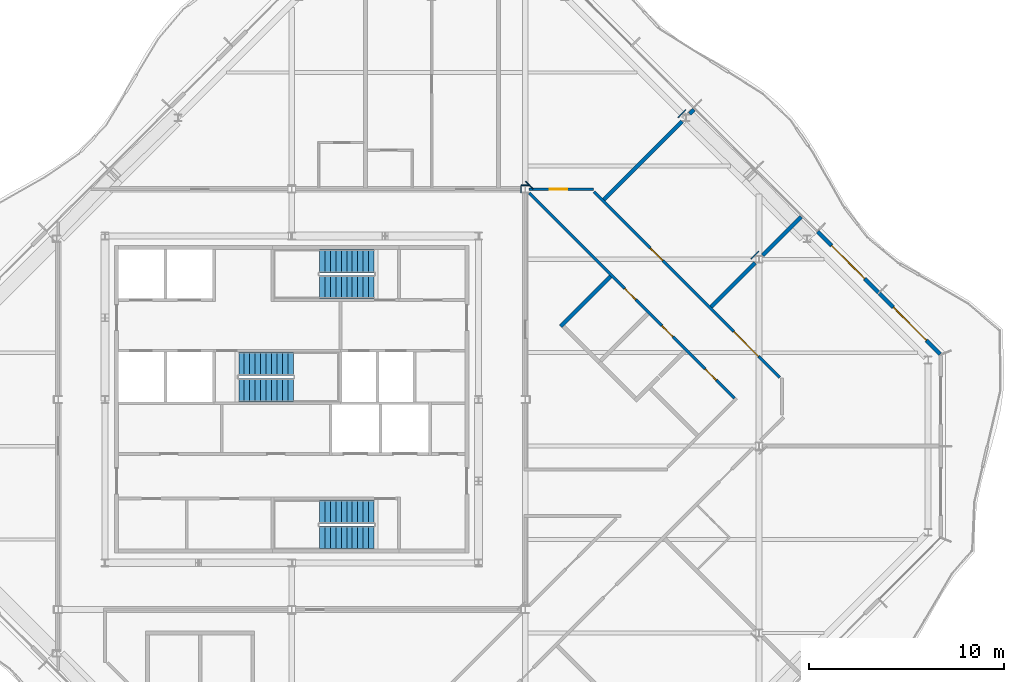
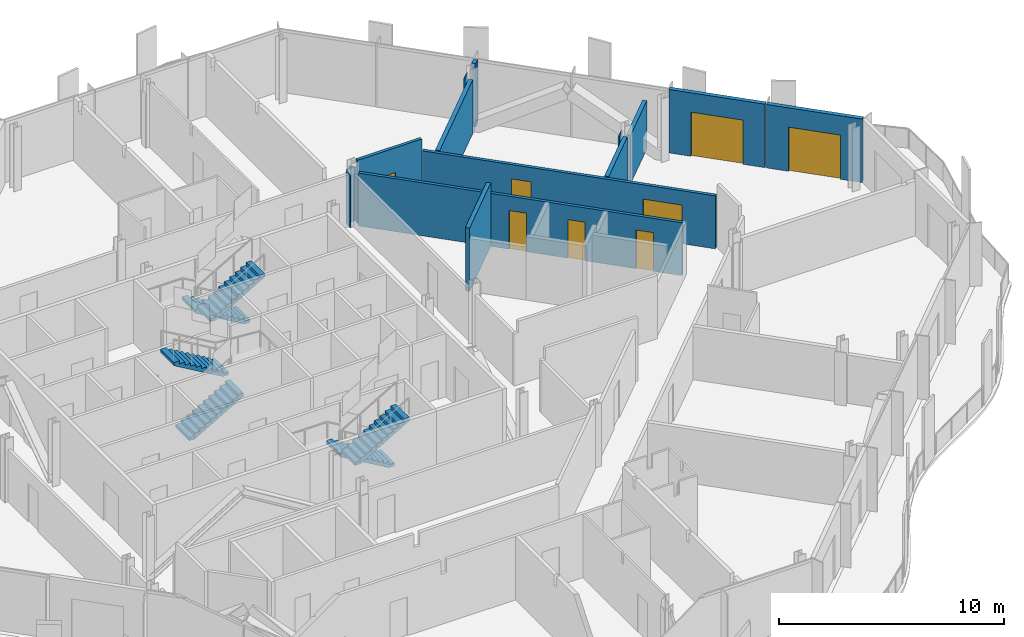
# One storey, part 11 of 16: 15 walls, 8 doors, 6 stair flights, 8 openings, 3 elements without a shape of their own.
"""IFC4 building model written with IfcOpenShell, lengths in metres."""

import ifcopenshell
import ifcopenshell.guid

model = None  # the IFC model being written
_history = None  # IfcOwnerHistory: only IFC2X3 demands one
_inside = {}  # id of a spatial element -> (the spatial element, [elements in it])
_under = {}  # id of a project, library or spatial element -> (it, [spatial elements below it])
_declared = {}  # id of a project -> (the project, [libraries it declares])
_typed = {}  # id of a type object -> (the type object, [elements of that type])
_made_of = {}  # id of a material, layer set ... -> (it, [elements and type objects made of it])


def new_model(schema):
    """Start an empty IFC model of exactly this schema.

    Asked for "IFC4X3", IfcOpenShell would pick the latest addendum, in which some entities
    have other attributes; the version numbers below select the first issue.
    IFC2X3 requires an IfcOwnerHistory on every rooted entity: one is made here for all.
    """
    global model, _history
    if schema == "IFC4X3":
        model = ifcopenshell.file(schema_version=(4, 3, 0, 0))
    else:
        model = ifcopenshell.file(schema=schema)
    _inside.clear()
    _under.clear()
    _declared.clear()
    _typed.clear()
    _made_of.clear()
    _history = None
    if model.schema == "IFC2X3":
        org = make("IfcOrganization", Name="unknown")
        user = make(
            "IfcPersonAndOrganization",
            ThePerson=make("IfcPerson", FamilyName="unknown"),
            TheOrganization=org,
        )
        app = make(
            "IfcApplication",
            ApplicationDeveloper=org,
            Version="unknown",
            ApplicationFullName="unknown",
            ApplicationIdentifier="unknown",
        )
        _history = make(
            "IfcOwnerHistory",
            OwningUser=user,
            OwningApplication=app,
            ChangeAction="ADDED",
            CreationDate=0,
        )
    return model


def make(cls, **values):
    """One entity of the class cls with the attributes given. An attribute that is None is left unset."""
    return model.create_entity(
        cls, **{name: value for name, value in values.items() if value is not None}
    )


def rooted(cls, **values):
    """An entity with a GlobalId (a new one), such as an element, a storey or a relation."""
    return make(cls, GlobalId=ifcopenshell.guid.new(), OwnerHistory=_history, **values)


def si_unit(unit_type, name, prefix=None):
    """IfcSIUnit, for example si_unit("LENGTHUNIT", "METRE", prefix="MILLI")."""
    return make("IfcSIUnit", UnitType=unit_type, Prefix=prefix, Name=name)


def assignment(units):
    """IfcUnitAssignment: the units of a project."""
    return None if units is None else make("IfcUnitAssignment", Units=units)


def point(xyz):
    """IfcCartesianPoint."""
    return None if xyz is None else make("IfcCartesianPoint", Coordinates=xyz)


def direction(xyz):
    """IfcDirection."""
    return None if xyz is None else make("IfcDirection", DirectionRatios=xyz)


def frame(location, z_axis=None, x_axis=None):
    """IfcAxis2Placement3D, a coordinate frame: its origin and axes. An axis left out is left unset."""
    return make(
        "IfcAxis2Placement3D",
        Location=point(location),
        Axis=direction(z_axis),
        RefDirection=direction(x_axis),
    )


def frame_2d(location, x_axis=None):
    """IfcAxis2Placement2D, a coordinate frame in the plane: its origin and x axis."""
    return make(
        "IfcAxis2Placement2D", Location=point(location), RefDirection=direction(x_axis)
    )


def origin():
    """The frame at (0, 0, 0) with its axes left unset."""
    return frame((0.0, 0.0, 0.0))


def place(relative_to, where):
    """IfcLocalPlacement: puts the frame where relative to a parent placement (None: the world)."""
    return make(
        "IfcLocalPlacement", PlacementRelTo=relative_to, RelativePlacement=where
    )


def context(
    kind, dimensions, precision=None, world=None, true_north=None, identifier=None
):
    """IfcGeometricRepresentationContext, for example the 3D "Model" context."""
    return make(
        "IfcGeometricRepresentationContext",
        ContextIdentifier=identifier,
        ContextType=kind,
        CoordinateSpaceDimension=dimensions,
        Precision=precision,
        WorldCoordinateSystem=world,
        TrueNorth=true_north,
    )


def subcontext(parent, identifier, kind, view, scale=None):
    """IfcGeometricRepresentationSubContext, for example "Body" below "Model"."""
    return make(
        "IfcGeometricRepresentationSubContext",
        ContextIdentifier=identifier,
        ContextType=kind,
        ParentContext=parent,
        TargetScale=scale,
        TargetView=view,
    )


def project(units=None, contexts=None):
    """IfcProject with its units and contexts."""
    return rooted(
        "IfcProject",
        Name="project",
        RepresentationContexts=contexts,
        UnitsInContext=assignment(units),
    )


def spatial(cls, under=None, at=None, **own):
    """A site, building, storey or space (cls), placed at a placement, below another one or the project."""
    s = rooted(cls, ObjectPlacement=at, **own)
    if under is not None:
        _under.setdefault(under.id(), (under, []))[1].append(s)
    return s


def polyline(points):
    """IfcPolyline through the points."""
    return make("IfcPolyline", Points=[point(p) for p in points])


def profile(cls, at=None, kind="AREA", **sizes):
    """A parametric profile (cls). Its sizes go by their IFC names, for example OverallWidth=200.0."""
    return make(cls, ProfileType=kind, Position=at, **sizes)


def rectangle(**sizes):
    """IfcRectangleProfileDef."""
    return profile("IfcRectangleProfileDef", **sizes)


def outline(outer, holes=None, kind="AREA"):
    """IfcArbitraryClosedProfileDef: a profile drawn as a closed curve; with holes, ...WithVoids."""
    if holes is None:
        return make("IfcArbitraryClosedProfileDef", ProfileType=kind, OuterCurve=outer)
    return make(
        "IfcArbitraryProfileDefWithVoids",
        ProfileType=kind,
        OuterCurve=outer,
        InnerCurves=holes,
    )


def extrude(swept, where, along, depth):
    """IfcExtrudedAreaSolid: the profile swept, set in the frame where, extruded along a direction by depth."""
    return make(
        "IfcExtrudedAreaSolid",
        SweptArea=swept,
        Position=where,
        ExtrudedDirection=direction(along),
        Depth=depth,
    )


def shape(context_of_items, identifier, shape_type, items):
    """IfcShapeRepresentation: the items that make up one representation, for example the "Body"."""
    return make(
        "IfcShapeRepresentation",
        ContextOfItems=context_of_items,
        RepresentationIdentifier=identifier,
        RepresentationType=shape_type,
        Items=items,
    )


def material(Name=None, Category=None):
    """IfcMaterial."""
    return make("IfcMaterial", Name=Name, Category=Category)


def layer(
    of_material, thickness, ventilated=None, Name=None, Category=None, Priority=None
):
    """IfcMaterialLayer: one layer of a wall or slab, of a material (None: an air gap)."""
    return make(
        "IfcMaterialLayer",
        Material=of_material,
        LayerThickness=thickness,
        IsVentilated=ventilated,
        Name=Name,
        Category=Category,
        Priority=Priority,
    )


def layer_set(layers, Name=None):
    """IfcMaterialLayerSet."""
    return make("IfcMaterialLayerSet", MaterialLayers=layers, LayerSetName=Name)


def made_of(thing, what):
    """Note that an element or type object is made of a material, layer set ...; save() writes the relation."""
    if what is not None:
        _made_of.setdefault(what.id(), (what, []))[1].append(thing)
    return thing


def type_object(cls, material=None, **own):
    """A type object (cls), such as IfcWallType, which elements share."""
    return made_of(rooted(cls, **own), material)


def element(
    cls,
    number,
    at=None,
    inside=None,
    cuts=None,
    type_object=None,
    material=None,
    context=None,
    identifier="Body",
    shape_type=None,
    held_by="IfcProductDefinitionShape",
    body=None,
    shapes=None,
    **own,
):
    """One element of the class cls, such as IfcWall. Its Tag is "e" and its number.

    at: its placement. inside: the storey or other place that contains it. cuts: it is an
    opening in that element (IfcRelVoidsElement). A single representation is given by context,
    identifier, shape_type and body (its items); several are given by shapes. held_by: the class
    of the entity that holds the representations. save() writes the other relations.
    """
    e = rooted(cls, Tag="e%d" % number, ObjectPlacement=at, **own)
    if body is not None:
        shapes = [shape(context, identifier, shape_type, body)]
    if shapes is not None:
        e.Representation = make(held_by, Representations=shapes)
    if inside is not None:
        _inside.setdefault(inside.id(), (inside, []))[1].append(e)
    if cuts is not None:
        rooted(
            "IfcRelVoidsElement", RelatingBuildingElement=cuts, RelatedOpeningElement=e
        )
    if type_object is not None:
        _typed.setdefault(type_object.id(), (type_object, []))[1].append(e)
    return made_of(e, material)


def fill(opening, filler):
    """IfcRelFillsElement: the door or window that sits in an opening."""
    return rooted(
        "IfcRelFillsElement",
        RelatingOpeningElement=opening,
        RelatedBuildingElement=filler,
    )


def aggregate(whole, parts):
    """IfcRelAggregates: a whole, such as a stair, and the parts it consists of."""
    return rooted("IfcRelAggregates", RelatingObject=whole, RelatedObjects=parts)


def save(model, path):
    """Write the relations noted so far, then the file.

    IfcRelAggregates (storeys below a building ...), IfcRelContainedInSpatialStructure (elements
    in a storey), IfcRelDefinesByType, IfcRelAssociatesMaterial and IfcRelDeclares: one each for
    every whole, place, type object, material and project.
    """
    for whole, parts in _under.values():
        aggregate(whole, parts)
    for where, things in _inside.values():
        rooted(
            "IfcRelContainedInSpatialStructure",
            RelatedElements=things,
            RelatingStructure=where,
        )
    for kind, things in _typed.values():
        rooted("IfcRelDefinesByType", RelatedObjects=things, RelatingType=kind)
    for what, things in _made_of.values():
        rooted("IfcRelAssociatesMaterial", RelatedObjects=things, RelatingMaterial=what)
    for by, libraries in _declared.values():
        rooted("IfcRelDeclares", RelatingContext=by, RelatedDefinitions=libraries)
    model.write(path)


model = new_model("IFC4")

# Units and contexts
model_context = context("Model", 3, precision=1e-05, world=origin(), true_north=direction((0.0, 1.0)))
body_context = subcontext(model_context, "Body", "Model", "MODEL_VIEW")
ifc_project = project(units=[si_unit("LENGTHUNIT", "METRE"), si_unit("AREAUNIT", "SQUARE_METRE"), si_unit("VOLUMEUNIT", "CUBIC_METRE"), si_unit("PLANEANGLEUNIT", "RADIAN"), si_unit("MASSUNIT", "GRAM", prefix="KILO")], contexts=[model_context])

# Site, building, storey
site_placement = place(None, origin())
site = spatial("IfcSite", under=ifc_project, at=site_placement, CompositionType="ELEMENT")
building_placement = place(site_placement, origin())
building = spatial("IfcBuilding", under=site, at=building_placement, Name="Cairn Pilgrim Tower", CompositionType="ELEMENT")
storey_placement = place(building_placement, frame((0.0, 0.0, 285.0)))
storey = spatial("IfcBuildingStorey", under=building, at=storey_placement, Name="L73", CompositionType="ELEMENT", Elevation=285.0)

# Wall, opening, door
ifc_material_1 = material(Name="Bronze anodised aluminium insulated sandwich panel with mineral wool fill", Category="aluminium")
ifc_layer_1 = layer(ifc_material_1, 0.199951171875)
ifc_layer_set_1 = layer_set([ifc_layer_1], Name="BRONZE INFILL FRAME WALL 200")
wall_type_1 = type_object("IfcWallType", Name="BRONZE INFILL FRAME WALL 200", PredefinedType="NOTDEFINED", material=ifc_layer_set_1)
wall_1_placement = place(storey_placement, frame((40.521728515625, 4.724609375, 0.0), z_axis=(0.0, 0.0, 1.0), x_axis=(-0.707106781187, 0.707106781187, 0.0)))
wall_1 = element("IfcWall", 1, at=wall_1_placement, inside=storey, type_object=wall_type_1, Name="Bronze infill frame wall IW-NE1", PredefinedType="NOTDEFINED", context=body_context, shape_type="SweptSolid", body=[
    extrude(rectangle(XDim=4.421142578125, YDim=0.199951171875, at=frame_2d((2.21044921875, 0.0))), origin(), (0.0, 0.0, 1.0), 3.449951171875),
])
opening_1_placement = place(wall_1_placement, frame((1.00537109375, 0.0, 0.0)))
opening_1 = element("IfcOpeningElement", 2, at=opening_1_placement, cuts=wall_1, Name="Opening 7301B", PredefinedType="OPENING", context=body_context, shape_type="SweptSolid", body=[
    extrude(rectangle(XDim=2.39990234375, YDim=2.39990234375, at=frame_2d((1.199951171875, 1.199951171875))), frame((0.0, 0.10986328125, 0.0), z_axis=(0.0, -1.0, 0.0), x_axis=(1.0, 0.0, 0.0)), (0.0, 0.0, 1.0), 0.219970703125),
])
ifc_material_2 = material(Name="Bronze anodised aluminium frame with tinted low-E glass", Category="aluminium")
door_type_1 = type_object("IfcDoorType", Name="BALCONY SLIDING DOOR 2400x2400", OperationType="DOUBLE_DOOR_SLIDING", PredefinedType="DOOR", material=ifc_material_2)
door_1_placement = place(opening_1_placement, origin())
door_1 = element("IfcDoor", 3, at=door_1_placement, inside=storey, type_object=door_type_1, Name="Balcony sliding door 7301B", OperationType="SINGLE_SWING_LEFT", OverallHeight=2.39990234375, OverallWidth=2.39990234375, PredefinedType="DOOR", context=body_context, shape_type="SweptSolid", body=[
    extrude(rectangle(XDim=2.39990234375, YDim=2.39990234375, at=frame_2d((1.199951171875, 1.199951171875))), frame((0.0, 0.02490234375, 0.0), z_axis=(0.0, -1.0, 0.0), x_axis=(1.0, 0.0, 0.0)), (0.0, 0.0, 1.0), 0.050048828125),
])
fill(opening_1, door_1)

wall_2_placement = place(storey_placement, frame((37.353271484375, 7.893310546875, 0.0), z_axis=(0.0, 0.0, 1.0), x_axis=(-0.707134329907, 0.707079231393, 0.0)))
wall_2 = element("IfcWall", 4, at=wall_2_placement, inside=storey, type_object=wall_type_1, Name="Bronze infill frame wall IW-NE2", PredefinedType="NOTDEFINED", context=body_context, shape_type="SweptSolid", body=[
    extrude(rectangle(XDim=4.430908203125, YDim=0.199951171875, at=frame_2d((2.21533203125, 0.0))), origin(), (0.0, 0.0, 1.0), 3.449951171875),
])
opening_2_placement = place(wall_2_placement, frame((1.015380859375, 0.0, 0.0)))
opening_2 = element("IfcOpeningElement", 5, at=opening_2_placement, cuts=wall_2, Name="Opening 7301B3", PredefinedType="OPENING", context=body_context, shape_type="SweptSolid", body=[
    extrude(rectangle(XDim=2.39990234375, YDim=2.39990234375, at=frame_2d((1.199951171875, 1.199951171875))), frame((0.0, 0.10986328125, 0.0), z_axis=(0.0, -1.0, 0.0), x_axis=(1.0, 0.0, 0.0)), (0.0, 0.0, 1.0), 0.219970703125),
])
door_2_placement = place(opening_2_placement, origin())
door_2 = element("IfcDoor", 6, at=door_2_placement, inside=storey, type_object=door_type_1, Name="Balcony sliding door 7301B3", OperationType="SINGLE_SWING_LEFT", OverallHeight=2.39990234375, OverallWidth=2.39990234375, PredefinedType="DOOR", context=body_context, shape_type="SweptSolid", body=[
    extrude(rectangle(XDim=2.39990234375, YDim=2.39990234375, at=frame_2d((1.199951171875, 1.199951171875))), frame((0.0, 0.02490234375, 0.0), z_axis=(0.0, -1.0, 0.0), x_axis=(1.0, 0.0, 0.0)), (0.0, 0.0, 1.0), 0.050048828125),
])
fill(opening_2, door_2)

# Wall, openings, doors
ifc_material_3 = material(Name="Gypsum partition")
ifc_layer_2 = layer(ifc_material_3, 0.14990234375)
ifc_layer_set_2 = layer_set([ifc_layer_2], Name="PARTITION 150 DRYWALL EI 60")
wall_type_2 = type_object("IfcWallType", Name="PARTITION 150 DRYWALL EI 60", PredefinedType="PARTITIONING", material=ifc_layer_set_2)
wall_3_placement = place(storey_placement, frame((29.947021484375, 2.452880859375, 0.0), z_axis=(0.0, 0.0, 1.0), x_axis=(-0.707098603185, 0.707114959093, 0.0)))
wall_3 = element("IfcWall", 7, at=wall_3_placement, inside=storey, type_object=wall_type_2, Name="PARTITION W044", PredefinedType="PARTITIONING", context=body_context, shape_type="SweptSolid", body=[
    extrude(rectangle(XDim=14.9267578125, YDim=0.14990234375, at=frame_2d((7.46337890625, 0.0))), origin(), (0.0, 0.0, 1.0), 2.8798828125),
])
opening_3_placement = place(wall_3_placement, frame((1.324951171875, 0.0, 0.0)))
opening_3 = element("IfcOpeningElement", 8, at=opening_3_placement, cuts=wall_3, Name="Opening 7310", PredefinedType="OPENING", context=body_context, shape_type="SweptSolid", body=[
    extrude(rectangle(XDim=0.800048828125, YDim=2.10009765625, at=frame_2d((0.39990234375, 1.050048828125))), frame((0.0, 0.0849609375, 0.0), z_axis=(0.0, -1.0, 0.0), x_axis=(1.0, 0.0, 0.0)), (0.0, 0.0, 1.0), 0.169921875),
])
opening_4_placement = place(wall_3_placement, frame((4.4755859375, 0.0, 0.0)))
opening_4 = element("IfcOpeningElement", 9, at=opening_4_placement, cuts=wall_3, Name="Opening 7312", PredefinedType="OPENING", context=body_context, shape_type="SweptSolid", body=[
    extrude(rectangle(XDim=0.800048828125, YDim=2.10009765625, at=frame_2d((0.39990234375, 1.050048828125))), frame((0.0, 0.0849609375, 0.0), z_axis=(0.0, -1.0, 0.0), x_axis=(1.0, 0.0, 0.0)), (0.0, 0.0, 1.0), 0.169921875),
])
opening_5_placement = place(wall_3_placement, frame((7.17529296875, 0.0, 0.0)))
opening_5 = element("IfcOpeningElement", 10, at=opening_5_placement, cuts=wall_3, Name="Opening 7314", PredefinedType="OPENING", context=body_context, shape_type="SweptSolid", body=[
    extrude(rectangle(XDim=0.800048828125, YDim=2.10009765625, at=frame_2d((0.39990234375, 1.050048828125))), frame((0.0, 0.0849609375, 0.0), z_axis=(0.0, -1.0, 0.0), x_axis=(1.0, 0.0, 0.0)), (0.0, 0.0, 1.0), 0.169921875),
])
ifc_material_4 = material(Name="Timber door leaf", Category="wood")
door_type_2 = type_object("IfcDoorType", Name="WC DOOR 800x2100 FD30S", OperationType="NOTDEFINED", PredefinedType="DOOR", material=ifc_material_4)
door_3_placement = place(opening_3_placement, origin())
door_3 = element("IfcDoor", 11, at=door_3_placement, inside=storey, type_object=door_type_2, Name="DOOR 7310", OperationType="SINGLE_SWING_RIGHT", OverallHeight=2.10009765625, OverallWidth=0.800048828125, PredefinedType="DOOR", context=body_context, shape_type="SweptSolid", body=[
    extrude(rectangle(XDim=0.800048828125, YDim=2.10009765625, at=frame_2d((0.39990234375, 1.050048828125))), frame((0.0, 0.02490234375, 0.0), z_axis=(0.0, -1.0, 0.0), x_axis=(1.0, 0.0, 0.0)), (0.0, 0.0, 1.0), 0.050048828125),
])
fill(opening_3, door_3)
door_4_placement = place(opening_4_placement, origin())
door_4 = element("IfcDoor", 12, at=door_4_placement, inside=storey, type_object=door_type_2, Name="DOOR 7312", OperationType="SINGLE_SWING_RIGHT", OverallHeight=2.10009765625, OverallWidth=0.800048828125, PredefinedType="DOOR", context=body_context, shape_type="SweptSolid", body=[
    extrude(rectangle(XDim=0.800048828125, YDim=2.10009765625, at=frame_2d((0.39990234375, 1.050048828125))), frame((0.0, 0.02490234375, 0.0), z_axis=(0.0, -1.0, 0.0), x_axis=(1.0, 0.0, 0.0)), (0.0, 0.0, 1.0), 0.050048828125),
])
fill(opening_4, door_4)
door_5_placement = place(opening_5_placement, origin())
door_5 = element("IfcDoor", 13, at=door_5_placement, inside=storey, type_object=door_type_2, Name="DOOR 7314", OperationType="SINGLE_SWING_RIGHT", OverallHeight=2.10009765625, OverallWidth=0.800048828125, PredefinedType="DOOR", context=body_context, shape_type="SweptSolid", body=[
    extrude(rectangle(XDim=0.800048828125, YDim=2.10009765625, at=frame_2d((0.39990234375, 1.050048828125))), frame((0.0, 0.02490234375, 0.0), z_axis=(0.0, -1.0, 0.0), x_axis=(1.0, 0.0, 0.0)), (0.0, 0.0, 1.0), 0.050048828125),
])
fill(opening_5, door_5)

wall_4_placement = place(storey_placement, frame((32.27197265625, 3.52197265625, 0.0), z_axis=(0.0, 0.0, 1.0), x_axis=(-0.707097742657, 0.707115819601, 0.0)))
wall_4 = element("IfcWall", 14, at=wall_4_placement, inside=storey, type_object=wall_type_2, Name="PARTITION W047", PredefinedType="PARTITIONING", context=body_context, shape_type="SweptSolid", body=[
    extrude(rectangle(XDim=13.505615234375, YDim=0.14990234375, at=frame_2d((6.7529296875, 0.0))), origin(), (0.0, 0.0, 1.0), 2.8798828125),
])
opening_6_placement = place(wall_4_placement, frame((1.537841796875, 0.0, 0.0)))
opening_6 = element("IfcOpeningElement", 15, at=opening_6_placement, cuts=wall_4, Name="Opening 7301", PredefinedType="OPENING", context=body_context, shape_type="SweptSolid", body=[
    extrude(rectangle(XDim=1.800048828125, YDim=2.10009765625, at=frame_2d((0.89990234375, 1.050048828125))), frame((0.0, 0.0849609375, 0.0), z_axis=(0.0, -1.0, 0.0), x_axis=(1.0, 0.0, 0.0)), (0.0, 0.0, 1.0), 0.169921875),
])
opening_7_placement = place(wall_4_placement, frame((8.5029296875, 0.0, 0.0)))
opening_7 = element("IfcOpeningElement", 16, at=opening_7_placement, cuts=wall_4, Name="Opening 7305", PredefinedType="OPENING", context=body_context, shape_type="SweptSolid", body=[
    extrude(rectangle(XDim=0.89990234375, YDim=2.10009765625, at=frame_2d((0.449951171875, 1.050048828125))), frame((0.0, 0.0849609375, 0.0), z_axis=(0.0, -1.0, 0.0), x_axis=(1.0, 0.0, 0.0)), (0.0, 0.0, 1.0), 0.169921875),
])
door_type_3 = type_object("IfcDoorType", Name="DOOR PAIR 1800x2100 FD60S", OperationType="NOTDEFINED", PredefinedType="DOOR", material=ifc_material_4)
door_6_placement = place(opening_6_placement, frame((1.800048828125, 0.0, 0.0), z_axis=(0.0, 0.0, 1.0), x_axis=(-1.0, 0.0, 0.0)))
door_6 = element("IfcDoor", 17, at=door_6_placement, inside=storey, type_object=door_type_3, Name="DOOR 7301", OperationType="DOUBLE_DOOR_SINGLE_SWING", OverallHeight=2.10009765625, OverallWidth=1.800048828125, PredefinedType="DOOR", context=body_context, shape_type="SweptSolid", body=[
    extrude(rectangle(XDim=1.800048828125, YDim=2.10009765625, at=frame_2d((0.89990234375, 1.050048828125))), frame((0.0, 0.02490234375, 0.0), z_axis=(0.0, -1.0, 0.0), x_axis=(1.0, 0.0, 0.0)), (0.0, 0.0, 1.0), 0.050048828125),
])
fill(opening_6, door_6)
door_type_4 = type_object("IfcDoorType", Name="SERVICE DOOR 900x2100 FD30S", OperationType="NOTDEFINED", PredefinedType="DOOR", material=ifc_material_4)
door_7_placement = place(opening_7_placement, frame((0.89990234375, 0.0, 0.0), z_axis=(0.0, 0.0, 1.0), x_axis=(-1.0, 0.0, 0.0)))
door_7 = element("IfcDoor", 18, at=door_7_placement, inside=storey, type_object=door_type_4, Name="DOOR 7305", OperationType="SINGLE_SWING_LEFT", OverallHeight=2.10009765625, OverallWidth=0.89990234375, PredefinedType="DOOR", context=body_context, shape_type="SweptSolid", body=[
    extrude(rectangle(XDim=0.89990234375, YDim=2.10009765625, at=frame_2d((0.449951171875, 1.050048828125))), frame((0.0, 0.02490234375, 0.0), z_axis=(0.0, -1.0, 0.0), x_axis=(1.0, 0.0, 0.0)), (0.0, 0.0, 1.0), 0.050048828125),
])
fill(opening_7, door_7)

# Wall, opening, door
wall_5_placement = place(storey_placement, frame((19.39697265625, 13.199951171875, 0.0), z_axis=(0.0, 0.0, 1.0), x_axis=(1.0, 0.0, 0.0)))
wall_5 = element("IfcWall", 19, at=wall_5_placement, inside=storey, type_object=wall_type_2, Name="PARTITION W058", PredefinedType="PARTITIONING", context=body_context, shape_type="SweptSolid", body=[
    extrude(rectangle(XDim=3.30322265625, YDim=0.14990234375, at=frame_2d((1.651611328125, 0.0))), origin(), (0.0, 0.0, 1.0), 3.449951171875),
])
opening_8_placement = place(wall_5_placement, frame((1.050048828125, 0.0, 0.0)))
opening_8 = element("IfcOpeningElement", 20, at=opening_8_placement, cuts=wall_5, Name="Opening 7319", PredefinedType="OPENING", context=body_context, shape_type="SweptSolid", body=[
    extrude(rectangle(XDim=0.89990234375, YDim=2.10009765625, at=frame_2d((0.449951171875, 1.050048828125))), frame((0.0, 0.0849609375, 0.0), z_axis=(0.0, -1.0, 0.0), x_axis=(1.0, 0.0, 0.0)), (0.0, 0.0, 1.0), 0.169921875),
])
door_8_placement = place(opening_8_placement, origin())
door_8 = element("IfcDoor", 21, at=door_8_placement, inside=storey, type_object=door_type_4, Name="DOOR 7319", OperationType="SINGLE_SWING_RIGHT", OverallHeight=2.10009765625, OverallWidth=0.89990234375, PredefinedType="DOOR", context=body_context, shape_type="SweptSolid", body=[
    extrude(rectangle(XDim=0.89990234375, YDim=2.10009765625, at=frame_2d((0.449951171875, 1.050048828125))), frame((0.0, 0.02490234375, 0.0), z_axis=(0.0, -1.0, 0.0), x_axis=(1.0, 0.0, 0.0)), (0.0, 0.0, 1.0), 0.050048828125),
])
fill(opening_8, door_8)

# Walls
ifc_layer_3 = layer(ifc_material_3, 0.050048828125)
ifc_layer_set_3 = layer_set([ifc_layer_3], Name="PARTITION 50 DRYWALL EI 60")
wall_type_3 = type_object("IfcWallType", Name="PARTITION 50 DRYWALL EI 60", PredefinedType="PARTITIONING", material=ifc_layer_set_3)
wall_6_placement = place(storey_placement, frame((18.97802734375, 13.012451171875, 0.0), z_axis=(0.0, 0.0, 1.0), x_axis=(0.0, 1.0, 0.0)))
element("IfcWall", 22, at=wall_6_placement, inside=storey, type_object=wall_type_3, Name="COLUMN CASING WC14", PredefinedType="PARTITIONING", context=body_context, shape_type="SweptSolid", body=[
    extrude(rectangle(XDim=0.375, YDim=0.050048828125, at=frame_2d((0.1875, 0.0))), origin(), (0.0, 0.0, 1.0), 2.830078125),
])
wall_7_placement = place(storey_placement, frame((19.602294921875, 13.2177734375, 0.0), z_axis=(0.0, 0.0, 1.0), x_axis=(-0.707106781187, 0.707106781187, 0.0)))
element("IfcWall", 23, at=wall_7_placement, inside=storey, type_object=wall_type_3, Name="COLUMN CASING WC16", PredefinedType="PARTITIONING", context=body_context, shape_type="SweptSolid", body=[
    extrude(rectangle(XDim=0.543701171875, YDim=0.050048828125, at=frame_2d((0.27197265625, 0.0))), origin(), (0.0, 0.0, 1.0), 2.929931640625),
])
wall_8_placement = place(storey_placement, frame((30.7978515625, 9.61767578125, 0.0), z_axis=(0.0, 0.0, 1.0), x_axis=(0.707106781187, 0.707106781187, 0.0)))
element("IfcWall", 24, at=wall_8_placement, inside=storey, type_object=wall_type_3, Name="COLUMN CASING WC17", PredefinedType="PARTITIONING", context=body_context, shape_type="SweptSolid", body=[
    extrude(rectangle(XDim=0.543701171875, YDim=0.050048828125, at=frame_2d((0.27197265625, 0.0))), origin(), (0.0, 0.0, 1.0), 2.8798828125),
])
wall_9_placement = place(storey_placement, frame((27.05419921875, 16.893310546875, 0.0), z_axis=(0.0, 0.0, 1.0), x_axis=(0.707106781187, 0.707106781187, 0.0)))
element("IfcWall", 25, at=wall_9_placement, inside=storey, type_object=wall_type_3, Name="COLUMN CASING WC18", PredefinedType="PARTITIONING", context=body_context, shape_type="SweptSolid", body=[
    extrude(rectangle(XDim=0.536865234375, YDim=0.050048828125, at=frame_2d((0.2685546875, 0.0))), origin(), (0.0, 0.0, 1.0), 2.929931640625),
])
wall_10_placement = place(storey_placement, frame((19.0029296875, 13.41259765625, 0.0), z_axis=(0.0, 0.0, 1.0), x_axis=(1.0, 0.0, 0.0)))
element("IfcWall", 26, at=wall_10_placement, inside=storey, type_object=wall_type_3, Name="COLUMN CASING WC20", PredefinedType="PARTITIONING", context=body_context, shape_type="SweptSolid", body=[
    extrude(rectangle(XDim=0.39404296875, YDim=0.050048828125, at=frame_2d((0.197021484375, 0.0))), origin(), (0.0, 0.0, 1.0), 2.929931640625),
])
ifc_layer_4 = layer(ifc_material_3, 0.199951171875)
ifc_layer_set_4 = layer_set([ifc_layer_4], Name="SHAFT WALL 200 GYPSUM EI 60")
wall_type_4 = type_object("IfcWallType", Name="SHAFT WALL 200 GYPSUM EI 60", PredefinedType="PARTITIONING", material=ifc_layer_set_4)
wall_11_placement = place(storey_placement, frame((21.019287109375, 6.147216796875, 0.0), z_axis=(0.0, 0.0, 1.0), x_axis=(0.707106781187, 0.707106781187, 0.0)))
element("IfcWall", 27, at=wall_11_placement, inside=storey, type_object=wall_type_4, Name="PARTITION W051", PredefinedType="PARTITIONING", context=body_context, shape_type="SweptSolid", body=[
    extrude(rectangle(XDim=3.625732421875, YDim=0.199951171875, at=frame_2d((1.81298828125, 0.0))), origin(), (0.0, 0.0, 1.0), 3.449951171875),
])
wall_12_placement = place(storey_placement, frame((28.75, 7.14990234375, 0.0), z_axis=(0.0, 0.0, 1.0), x_axis=(0.707106781187, 0.707106781187, 0.0)))
element("IfcWall", 28, at=wall_12_placement, inside=storey, type_object=wall_type_4, Name="PARTITION W052", PredefinedType="PARTITIONING", context=body_context, shape_type="SweptSolid", body=[
    extrude(rectangle(XDim=3.193115234375, YDim=0.199951171875, at=frame_2d((1.5966796875, 0.0))), origin(), (0.0, 0.0, 1.0), 2.929931640625),
])
wall_13_placement = place(storey_placement, frame((31.392333984375, 9.792236328125, 0.0), z_axis=(0.0, 0.0, 1.0), x_axis=(0.707106781187, 0.707106781187, 0.0)))
element("IfcWall", 29, at=wall_13_placement, inside=storey, type_object=wall_type_4, Name="PARTITION W053", PredefinedType="PARTITIONING", context=body_context, shape_type="SweptSolid", body=[
    extrude(rectangle(XDim=2.812255859375, YDim=0.199951171875, at=frame_2d((1.40625, 0.0))), origin(), (0.0, 0.0, 1.0), 2.6298828125),
])
wall_14_placement = place(storey_placement, frame((23.238037109375, 12.662109375, 0.0), z_axis=(0.0, 0.0, 1.0), x_axis=(0.707106781187, 0.707106781187, 0.0)))
element("IfcWall", 30, at=wall_14_placement, inside=storey, type_object=wall_type_4, Name="PARTITION W055", PredefinedType="PARTITIONING", context=body_context, shape_type="SweptSolid", body=[
    extrude(rectangle(XDim=5.6904296875, YDim=0.199951171875, at=frame_2d((2.84521484375, 0.0))), origin(), (0.0, 0.0, 1.0), 2.929931640625),
])
wall_15_placement = place(storey_placement, frame((27.641357421875, 17.065185546875, 0.0), z_axis=(0.0, 0.0, 1.0), x_axis=(0.707106781187, 0.707106781187, 0.0)))
element("IfcWall", 31, at=wall_15_placement, inside=storey, type_object=wall_type_4, Name="PARTITION W066", PredefinedType="PARTITIONING", context=body_context, shape_type="SweptSolid", body=[
    extrude(rectangle(XDim=0.32177734375, YDim=0.199951171875, at=frame_2d((0.160888671875, 0.0))), origin(), (0.0, 0.0, 1.0), 3.449951171875),
])

# Stair, stair flights
ifc_material_5 = material(Name="Concrete C32/40", Category="concrete")
stair_type = type_object("IfcStairType", Name="EXIT STAIR 1200", PredefinedType="HALF_TURN_STAIR", material=ifc_material_5)
stair_1_placement = place(storey_placement, origin())
stair_1 = element("IfcStair", 32, at=stair_1_placement, inside=storey, type_object=stair_type, Name="L73 Exit Stair A", PredefinedType="HALF_TURN_STAIR")
stair_flight_type = type_object("IfcStairFlightType", Name="STAIR FLIGHT 1200", PredefinedType="STRAIGHT", material=ifc_material_5)
stair_flight_1_placement = place(storey_placement, frame((11.425048828125, -3.375, 0.0), z_axis=(0.0, 0.0, 1.0), x_axis=(-1.0, 0.0, 0.0)))
stair_flight_1 = element("IfcStairFlight", 33, at=stair_flight_1_placement, type_object=stair_flight_type, Name="ST-A flight 1", NumberOfRisers=11, NumberOfTreads=10, PredefinedType="STRAIGHT", RiserHeight=0.163636364, TreadLength=0.28, context=body_context, shape_type="SweptSolid", body=[
    extrude(outline(polyline([(0.0, 0.0), (0.0, 0.16357421875), (0.280029296875, 0.16357421875), (0.280029296875, 0.327392578125), (0.56005859375, 0.327392578125), (0.56005859375, 0.490966796875), (0.840087890625, 0.490966796875), (0.840087890625, 0.654541015625), (1.1201171875, 0.654541015625), (1.1201171875, 0.818115234375), (1.39990234375, 0.818115234375), (1.39990234375, 0.98193359375), (1.679931640625, 0.98193359375), (1.679931640625, 1.1455078125), (1.9599609375, 1.1455078125), (1.9599609375, 1.30908203125), (2.239990234375, 1.30908203125), (2.239990234375, 1.47265625), (2.52001953125, 1.47265625), (2.52001953125, 1.636474609375), (2.800048828125, 1.636474609375), (2.800048828125, 1.800048828125), (2.800048828125, 1.462646484375), (0.297119140625, 0.0), (0.0, 0.0)])), frame((0.0, 0.60009765625, 0.0), z_axis=(0.0, -1.0, 0.0), x_axis=(1.0, 0.0, 0.0)), (0.0, 0.0, 1.0), 1.199951171875),
])
stair_flight_2_placement = place(storey_placement, frame((8.625, -4.699951171875, 1.800048828125), z_axis=(0.0, 0.0, 1.0), x_axis=(1.0, 0.0, 0.0)))
stair_flight_2 = element("IfcStairFlight", 34, at=stair_flight_2_placement, type_object=stair_flight_type, Name="ST-A flight 2", NumberOfRisers=11, NumberOfTreads=10, PredefinedType="STRAIGHT", RiserHeight=0.163636364, TreadLength=0.28, context=body_context, shape_type="SweptSolid", body=[
    extrude(outline(polyline([(0.0, 0.0), (0.0, 0.16357421875), (0.280029296875, 0.16357421875), (0.280029296875, 0.327392578125), (0.56005859375, 0.327392578125), (0.56005859375, 0.490966796875), (0.840087890625, 0.490966796875), (0.840087890625, 0.654541015625), (1.1201171875, 0.654541015625), (1.1201171875, 0.818115234375), (1.39990234375, 0.818115234375), (1.39990234375, 0.98193359375), (1.679931640625, 0.98193359375), (1.679931640625, 1.1455078125), (1.9599609375, 1.1455078125), (1.9599609375, 1.30908203125), (2.239990234375, 1.30908203125), (2.239990234375, 1.47265625), (2.52001953125, 1.47265625), (2.52001953125, 1.636474609375), (2.800048828125, 1.636474609375), (2.800048828125, 1.800048828125), (2.800048828125, 1.462646484375), (0.297119140625, 0.0), (0.0, 0.0)])), frame((0.0, 0.60009765625, 0.0), z_axis=(0.0, -1.0, 0.0), x_axis=(1.0, 0.0, 0.0)), (0.0, 0.0, 1.0), 1.199951171875),
])
aggregate(stair_1, [stair_flight_1, stair_flight_2])

stair_2_placement = place(storey_placement, origin())
stair_2 = element("IfcStair", 35, at=stair_2_placement, inside=storey, type_object=stair_type, Name="L73 Exit Stair B", PredefinedType="HALF_TURN_STAIR")
stair_flight_3_placement = place(storey_placement, frame((4.47509765625, 2.875, 0.0), z_axis=(0.0, 0.0, 1.0), x_axis=(1.0, 0.0, 0.0)))
stair_flight_3 = element("IfcStairFlight", 36, at=stair_flight_3_placement, type_object=stair_flight_type, Name="ST-B flight 1", NumberOfRisers=11, NumberOfTreads=10, PredefinedType="STRAIGHT", RiserHeight=0.163636364, TreadLength=0.28, context=body_context, shape_type="SweptSolid", body=[
    extrude(outline(polyline([(0.0, 0.0), (0.0, 0.16357421875), (0.280029296875, 0.16357421875), (0.280029296875, 0.327392578125), (0.56005859375, 0.327392578125), (0.56005859375, 0.490966796875), (0.840087890625, 0.490966796875), (0.840087890625, 0.654541015625), (1.1201171875, 0.654541015625), (1.1201171875, 0.818115234375), (1.39990234375, 0.818115234375), (1.39990234375, 0.98193359375), (1.679931640625, 0.98193359375), (1.679931640625, 1.1455078125), (1.9599609375, 1.1455078125), (1.9599609375, 1.30908203125), (2.239990234375, 1.30908203125), (2.239990234375, 1.47265625), (2.52001953125, 1.47265625), (2.52001953125, 1.636474609375), (2.800048828125, 1.636474609375), (2.800048828125, 1.800048828125), (2.800048828125, 1.462646484375), (0.297119140625, 0.0), (0.0, 0.0)])), frame((0.0, 0.60009765625, 0.0), z_axis=(0.0, -1.0, 0.0), x_axis=(1.0, 0.0, 0.0)), (0.0, 0.0, 1.0), 1.199951171875),
])
stair_flight_4_placement = place(storey_placement, frame((7.27490234375, 4.22509765625, 1.800048828125), z_axis=(0.0, 0.0, 1.0), x_axis=(-1.0, 0.0, 0.0)))
stair_flight_4 = element("IfcStairFlight", 37, at=stair_flight_4_placement, type_object=stair_flight_type, Name="ST-B flight 2", NumberOfRisers=11, NumberOfTreads=10, PredefinedType="STRAIGHT", RiserHeight=0.163636364, TreadLength=0.28, context=body_context, shape_type="SweptSolid", body=[
    extrude(outline(polyline([(0.0, 0.0), (0.0, 0.16357421875), (0.280029296875, 0.16357421875), (0.280029296875, 0.327392578125), (0.56005859375, 0.327392578125), (0.56005859375, 0.490966796875), (0.840087890625, 0.490966796875), (0.840087890625, 0.654541015625), (1.1201171875, 0.654541015625), (1.1201171875, 0.818115234375), (1.39990234375, 0.818115234375), (1.39990234375, 0.98193359375), (1.679931640625, 0.98193359375), (1.679931640625, 1.1455078125), (1.9599609375, 1.1455078125), (1.9599609375, 1.30908203125), (2.239990234375, 1.30908203125), (2.239990234375, 1.47265625), (2.52001953125, 1.47265625), (2.52001953125, 1.636474609375), (2.800048828125, 1.636474609375), (2.800048828125, 1.800048828125), (2.800048828125, 1.462646484375), (0.297119140625, 0.0), (0.0, 0.0)])), frame((0.0, 0.60009765625, 0.0), z_axis=(0.0, -1.0, 0.0), x_axis=(1.0, 0.0, 0.0)), (0.0, 0.0, 1.0), 1.199951171875),
])
aggregate(stair_2, [stair_flight_3, stair_flight_4])

stair_3_placement = place(storey_placement, origin())
stair_3 = element("IfcStair", 38, at=stair_3_placement, inside=storey, type_object=stair_type, Name="L73 Exit Stair C", PredefinedType="HALF_TURN_STAIR")
stair_flight_5_placement = place(storey_placement, frame((11.425048828125, 9.5, 0.0), z_axis=(0.0, 0.0, 1.0), x_axis=(-1.0, 0.0, 0.0)))
stair_flight_5 = element("IfcStairFlight", 39, at=stair_flight_5_placement, type_object=stair_flight_type, Name="ST-C flight 1", NumberOfRisers=11, NumberOfTreads=10, PredefinedType="STRAIGHT", RiserHeight=0.163636364, TreadLength=0.28, context=body_context, shape_type="SweptSolid", body=[
    extrude(outline(polyline([(0.0, 0.0), (0.0, 0.16357421875), (0.280029296875, 0.16357421875), (0.280029296875, 0.327392578125), (0.56005859375, 0.327392578125), (0.56005859375, 0.490966796875), (0.840087890625, 0.490966796875), (0.840087890625, 0.654541015625), (1.1201171875, 0.654541015625), (1.1201171875, 0.818115234375), (1.39990234375, 0.818115234375), (1.39990234375, 0.98193359375), (1.679931640625, 0.98193359375), (1.679931640625, 1.1455078125), (1.9599609375, 1.1455078125), (1.9599609375, 1.30908203125), (2.239990234375, 1.30908203125), (2.239990234375, 1.47265625), (2.52001953125, 1.47265625), (2.52001953125, 1.636474609375), (2.800048828125, 1.636474609375), (2.800048828125, 1.800048828125), (2.800048828125, 1.462646484375), (0.297119140625, 0.0), (0.0, 0.0)])), frame((0.0, 0.60009765625, 0.0), z_axis=(0.0, -1.0, 0.0), x_axis=(1.0, 0.0, 0.0)), (0.0, 0.0, 1.0), 1.199951171875),
])
stair_flight_6_placement = place(storey_placement, frame((8.625, 8.175048828125, 1.800048828125), z_axis=(0.0, 0.0, 1.0), x_axis=(1.0, 0.0, 0.0)))
stair_flight_6 = element("IfcStairFlight", 40, at=stair_flight_6_placement, type_object=stair_flight_type, Name="ST-C flight 2", NumberOfRisers=11, NumberOfTreads=10, PredefinedType="STRAIGHT", RiserHeight=0.163636364, TreadLength=0.28, context=body_context, shape_type="SweptSolid", body=[
    extrude(outline(polyline([(0.0, 0.0), (0.0, 0.16357421875), (0.280029296875, 0.16357421875), (0.280029296875, 0.327392578125), (0.56005859375, 0.327392578125), (0.56005859375, 0.490966796875), (0.840087890625, 0.490966796875), (0.840087890625, 0.654541015625), (1.1201171875, 0.654541015625), (1.1201171875, 0.818115234375), (1.39990234375, 0.818115234375), (1.39990234375, 0.98193359375), (1.679931640625, 0.98193359375), (1.679931640625, 1.1455078125), (1.9599609375, 1.1455078125), (1.9599609375, 1.30908203125), (2.239990234375, 1.30908203125), (2.239990234375, 1.47265625), (2.52001953125, 1.47265625), (2.52001953125, 1.636474609375), (2.800048828125, 1.636474609375), (2.800048828125, 1.800048828125), (2.800048828125, 1.462646484375), (0.297119140625, 0.0), (0.0, 0.0)])), frame((0.0, 0.60009765625, 0.0), z_axis=(0.0, -1.0, 0.0), x_axis=(1.0, 0.0, 0.0)), (0.0, 0.0, 1.0), 1.199951171875),
])
aggregate(stair_3, [stair_flight_5, stair_flight_6])

save(model, "model.ifc")
